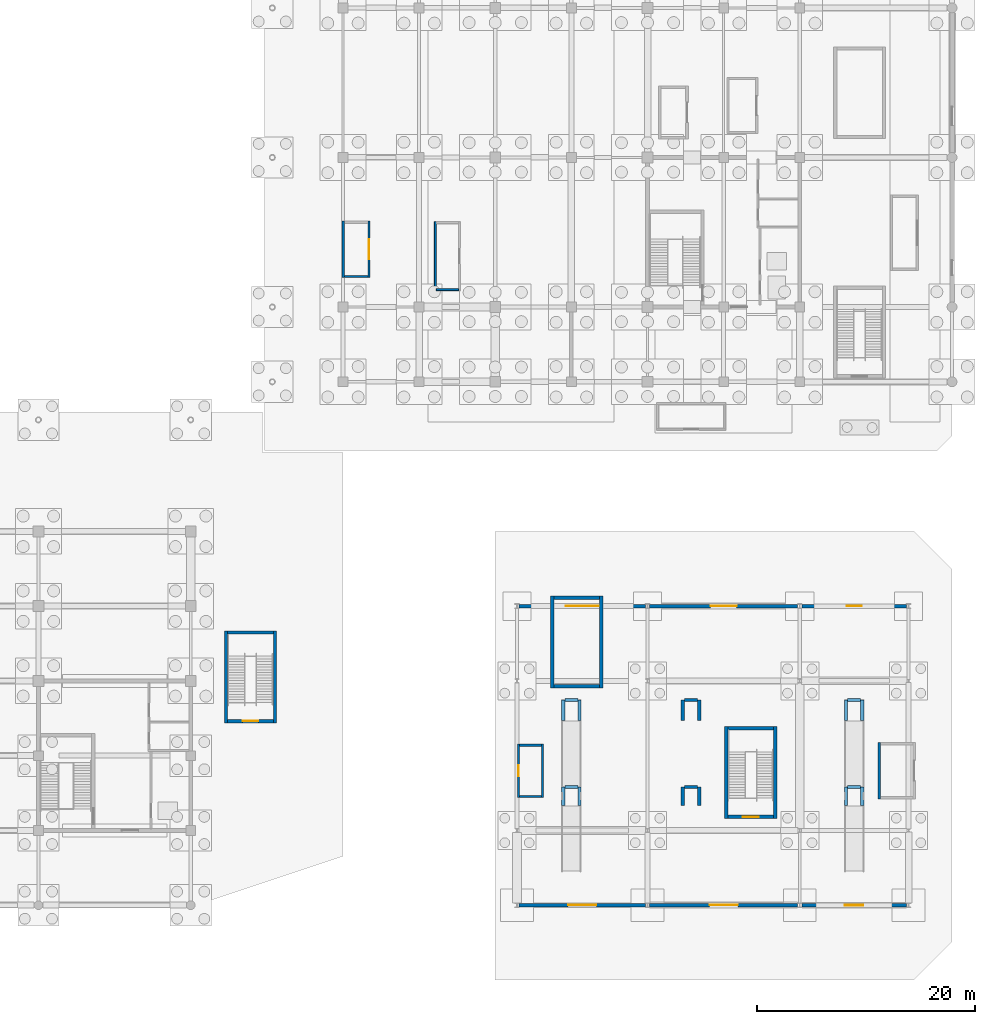
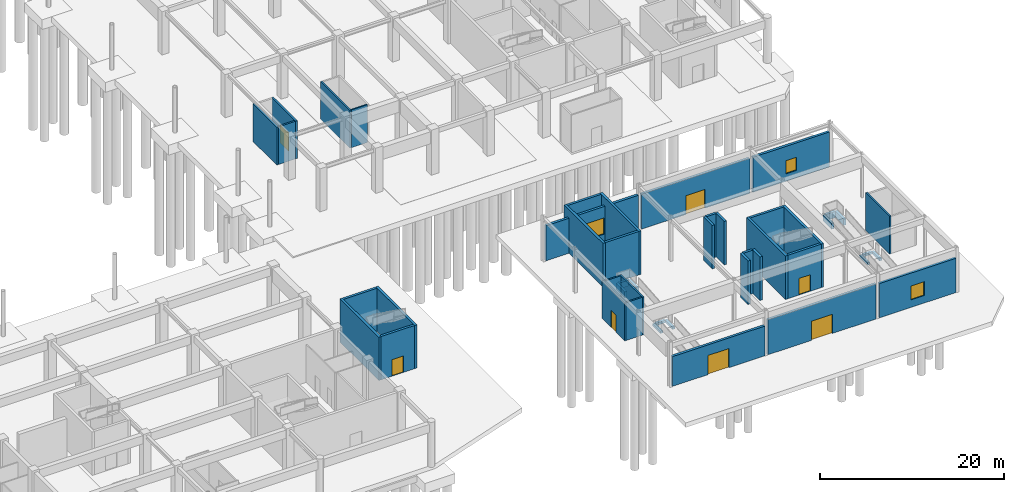
# One storey, part 43 of 62: 46 walls, 7 doors, 3 windows, 10 openings.
"""IFC4 building model written with IfcOpenShell, lengths in metres."""

import ifcopenshell
import ifcopenshell.guid

model = None  # the IFC model being written
_history = None  # IfcOwnerHistory: only IFC2X3 demands one
_inside = {}  # id of a spatial element -> (the spatial element, [elements in it])
_under = {}  # id of a project, library or spatial element -> (it, [spatial elements below it])
_declared = {}  # id of a project -> (the project, [libraries it declares])
_typed = {}  # id of a type object -> (the type object, [elements of that type])
_made_of = {}  # id of a material, layer set ... -> (it, [elements and type objects made of it])


def new_model(schema):
    """Start an empty IFC model of exactly this schema.

    Asked for "IFC4X3", IfcOpenShell would pick the latest addendum, in which some entities
    have other attributes; the version numbers below select the first issue.
    IFC2X3 requires an IfcOwnerHistory on every rooted entity: one is made here for all.
    """
    global model, _history
    if schema == "IFC4X3":
        model = ifcopenshell.file(schema_version=(4, 3, 0, 0))
    else:
        model = ifcopenshell.file(schema=schema)
    _inside.clear()
    _under.clear()
    _declared.clear()
    _typed.clear()
    _made_of.clear()
    _history = None
    if model.schema == "IFC2X3":
        org = make("IfcOrganization", Name="unknown")
        user = make(
            "IfcPersonAndOrganization",
            ThePerson=make("IfcPerson", FamilyName="unknown"),
            TheOrganization=org,
        )
        app = make(
            "IfcApplication",
            ApplicationDeveloper=org,
            Version="unknown",
            ApplicationFullName="unknown",
            ApplicationIdentifier="unknown",
        )
        _history = make(
            "IfcOwnerHistory",
            OwningUser=user,
            OwningApplication=app,
            ChangeAction="ADDED",
            CreationDate=0,
        )
    return model


def make(cls, **values):
    """One entity of the class cls with the attributes given. An attribute that is None is left unset."""
    return model.create_entity(
        cls, **{name: value for name, value in values.items() if value is not None}
    )


def rooted(cls, **values):
    """An entity with a GlobalId (a new one), such as an element, a storey or a relation."""
    return make(cls, GlobalId=ifcopenshell.guid.new(), OwnerHistory=_history, **values)


def si_unit(unit_type, name, prefix=None):
    """IfcSIUnit, for example si_unit("LENGTHUNIT", "METRE", prefix="MILLI")."""
    return make("IfcSIUnit", UnitType=unit_type, Prefix=prefix, Name=name)


def assignment(units):
    """IfcUnitAssignment: the units of a project."""
    return None if units is None else make("IfcUnitAssignment", Units=units)


def point(xyz):
    """IfcCartesianPoint."""
    return None if xyz is None else make("IfcCartesianPoint", Coordinates=xyz)


def direction(xyz):
    """IfcDirection."""
    return None if xyz is None else make("IfcDirection", DirectionRatios=xyz)


def frame(location, z_axis=None, x_axis=None):
    """IfcAxis2Placement3D, a coordinate frame: its origin and axes. An axis left out is left unset."""
    return make(
        "IfcAxis2Placement3D",
        Location=point(location),
        Axis=direction(z_axis),
        RefDirection=direction(x_axis),
    )


def frame_2d(location, x_axis=None):
    """IfcAxis2Placement2D, a coordinate frame in the plane: its origin and x axis."""
    return make(
        "IfcAxis2Placement2D", Location=point(location), RefDirection=direction(x_axis)
    )


def origin():
    """The frame at (0, 0, 0) with its axes left unset."""
    return frame((0.0, 0.0, 0.0))


def place(relative_to, where):
    """IfcLocalPlacement: puts the frame where relative to a parent placement (None: the world)."""
    return make(
        "IfcLocalPlacement", PlacementRelTo=relative_to, RelativePlacement=where
    )


def context(
    kind, dimensions, precision=None, world=None, true_north=None, identifier=None
):
    """IfcGeometricRepresentationContext, for example the 3D "Model" context."""
    return make(
        "IfcGeometricRepresentationContext",
        ContextIdentifier=identifier,
        ContextType=kind,
        CoordinateSpaceDimension=dimensions,
        Precision=precision,
        WorldCoordinateSystem=world,
        TrueNorth=true_north,
    )


def subcontext(parent, identifier, kind, view, scale=None):
    """IfcGeometricRepresentationSubContext, for example "Body" below "Model"."""
    return make(
        "IfcGeometricRepresentationSubContext",
        ContextIdentifier=identifier,
        ContextType=kind,
        ParentContext=parent,
        TargetScale=scale,
        TargetView=view,
    )


def project(units=None, contexts=None):
    """IfcProject with its units and contexts."""
    return rooted(
        "IfcProject",
        Name="project",
        RepresentationContexts=contexts,
        UnitsInContext=assignment(units),
    )


def spatial(cls, under=None, at=None, **own):
    """A site, building, storey or space (cls), placed at a placement, below another one or the project."""
    s = rooted(cls, ObjectPlacement=at, **own)
    if under is not None:
        _under.setdefault(under.id(), (under, []))[1].append(s)
    return s


def profile(cls, at=None, kind="AREA", **sizes):
    """A parametric profile (cls). Its sizes go by their IFC names, for example OverallWidth=200.0."""
    return make(cls, ProfileType=kind, Position=at, **sizes)


def rectangle(**sizes):
    """IfcRectangleProfileDef."""
    return profile("IfcRectangleProfileDef", **sizes)


def extrude(swept, where, along, depth):
    """IfcExtrudedAreaSolid: the profile swept, set in the frame where, extruded along a direction by depth."""
    return make(
        "IfcExtrudedAreaSolid",
        SweptArea=swept,
        Position=where,
        ExtrudedDirection=direction(along),
        Depth=depth,
    )


def shape(context_of_items, identifier, shape_type, items):
    """IfcShapeRepresentation: the items that make up one representation, for example the "Body"."""
    return make(
        "IfcShapeRepresentation",
        ContextOfItems=context_of_items,
        RepresentationIdentifier=identifier,
        RepresentationType=shape_type,
        Items=items,
    )


def material(Name=None, Category=None):
    """IfcMaterial."""
    return make("IfcMaterial", Name=Name, Category=Category)


def layer(
    of_material, thickness, ventilated=None, Name=None, Category=None, Priority=None
):
    """IfcMaterialLayer: one layer of a wall or slab, of a material (None: an air gap)."""
    return make(
        "IfcMaterialLayer",
        Material=of_material,
        LayerThickness=thickness,
        IsVentilated=ventilated,
        Name=Name,
        Category=Category,
        Priority=Priority,
    )


def layer_set(layers, Name=None):
    """IfcMaterialLayerSet."""
    return make("IfcMaterialLayerSet", MaterialLayers=layers, LayerSetName=Name)


def made_of(thing, what):
    """Note that an element or type object is made of a material, layer set ...; save() writes the relation."""
    if what is not None:
        _made_of.setdefault(what.id(), (what, []))[1].append(thing)
    return thing


def type_object(cls, material=None, **own):
    """A type object (cls), such as IfcWallType, which elements share."""
    return made_of(rooted(cls, **own), material)


def element(
    cls,
    number,
    at=None,
    inside=None,
    cuts=None,
    type_object=None,
    material=None,
    context=None,
    identifier="Body",
    shape_type=None,
    held_by="IfcProductDefinitionShape",
    body=None,
    shapes=None,
    **own,
):
    """One element of the class cls, such as IfcWall. Its Tag is "e" and its number.

    at: its placement. inside: the storey or other place that contains it. cuts: it is an
    opening in that element (IfcRelVoidsElement). A single representation is given by context,
    identifier, shape_type and body (its items); several are given by shapes. held_by: the class
    of the entity that holds the representations. save() writes the other relations.
    """
    e = rooted(cls, Tag="e%d" % number, ObjectPlacement=at, **own)
    if body is not None:
        shapes = [shape(context, identifier, shape_type, body)]
    if shapes is not None:
        e.Representation = make(held_by, Representations=shapes)
    if inside is not None:
        _inside.setdefault(inside.id(), (inside, []))[1].append(e)
    if cuts is not None:
        rooted(
            "IfcRelVoidsElement", RelatingBuildingElement=cuts, RelatedOpeningElement=e
        )
    if type_object is not None:
        _typed.setdefault(type_object.id(), (type_object, []))[1].append(e)
    return made_of(e, material)


def fill(opening, filler):
    """IfcRelFillsElement: the door or window that sits in an opening."""
    return rooted(
        "IfcRelFillsElement",
        RelatingOpeningElement=opening,
        RelatedBuildingElement=filler,
    )


def aggregate(whole, parts):
    """IfcRelAggregates: a whole, such as a stair, and the parts it consists of."""
    return rooted("IfcRelAggregates", RelatingObject=whole, RelatedObjects=parts)


def save(model, path):
    """Write the relations noted so far, then the file.

    IfcRelAggregates (storeys below a building ...), IfcRelContainedInSpatialStructure (elements
    in a storey), IfcRelDefinesByType, IfcRelAssociatesMaterial and IfcRelDeclares: one each for
    every whole, place, type object, material and project.
    """
    for whole, parts in _under.values():
        aggregate(whole, parts)
    for where, things in _inside.values():
        rooted(
            "IfcRelContainedInSpatialStructure",
            RelatedElements=things,
            RelatingStructure=where,
        )
    for kind, things in _typed.values():
        rooted("IfcRelDefinesByType", RelatedObjects=things, RelatingType=kind)
    for what, things in _made_of.values():
        rooted("IfcRelAssociatesMaterial", RelatedObjects=things, RelatingMaterial=what)
    for by, libraries in _declared.values():
        rooted("IfcRelDeclares", RelatingContext=by, RelatedDefinitions=libraries)
    model.write(path)


model = new_model("IFC4")

# Units and contexts
model_context = context("Model", 3, precision=1e-05, world=origin(), true_north=direction((0.0, 1.0)))
body_context = subcontext(model_context, "Body", "Model", "MODEL_VIEW")
ifc_project = project(units=[si_unit("LENGTHUNIT", "METRE"), si_unit("AREAUNIT", "SQUARE_METRE"), si_unit("VOLUMEUNIT", "CUBIC_METRE"), si_unit("PLANEANGLEUNIT", "RADIAN"), si_unit("MASSUNIT", "GRAM", prefix="KILO")], contexts=[model_context])

# Site, building, storey
site_placement = place(None, origin())
site = spatial("IfcSite", under=ifc_project, at=site_placement, CompositionType="ELEMENT")
building_placement = place(site_placement, origin())
building = spatial("IfcBuilding", under=site, at=building_placement, Name="Linyun Crest Stadium", CompositionType="ELEMENT")
storey_placement = place(building_placement, frame((0.0, 0.0, -6.0)))
storey = spatial("IfcBuildingStorey", under=building, at=storey_placement, Name="B1", CompositionType="ELEMENT", Elevation=-6.0)

# Wall, opening, window
ifc_material_1 = material(Name="Concrete C40 with warm ochre ceramic faience", Category="concrete")
ifc_layer_1 = layer(ifc_material_1, 0.31005859375)
ifc_layer_set_1 = layer_set([ifc_layer_1], Name="Concrete C40 with warm ochre ceramic faience")
wall_type_1 = type_object("IfcWallType", Name="EW04", PredefinedType="SOLIDWALL", material=ifc_layer_set_1)
wall_1_placement = place(storey_placement, frame((58.18994140625, -66.625, 0.0), z_axis=(0.0, 0.0, 1.0), x_axis=(1.0, 0.0, 0.0)))
wall_1 = element("IfcWall", 1, at=wall_1_placement, inside=storey, type_object=wall_type_1, Name="Exterior wall EW04 B1 52", PredefinedType="SOLIDWALL", context=body_context, shape_type="SweptSolid", body=[
    extrude(rectangle(XDim=11.6201171875, YDim=0.31005859375, at=frame_2d((5.81005859375, 0.0))), origin(), (0.0, 0.0, 1.0), 4.655029296875),
])
opening_1_placement = place(wall_1_placement, frame((4.31005859375, 0.0, 1.0)))
opening_1 = element("IfcOpeningElement", 2, at=opening_1_placement, cuts=wall_1, Name="Opening WN06", PredefinedType="OPENING", context=body_context, shape_type="SweptSolid", body=[
    extrude(rectangle(XDim=3.0, YDim=2.14990234375, at=frame_2d((1.5, 1.074951171875))), frame((0.0, 0.1650390625, 0.0), z_axis=(0.0, -1.0, 0.0), x_axis=(1.0, 0.0, 0.0)), (0.0, 0.0, 1.0), 0.330078125),
])
ifc_material_2 = material(Name="Verdigris steel Art Nouveau arched window", Category="steel")
ifc_layer_2 = layer(ifc_material_2, 0.06494140625)
ifc_layer_set_2 = layer_set([ifc_layer_2], Name="Verdigris steel Art Nouveau arched window")
window_type_1 = type_object("IfcWindowType", Name="WN06", PartitioningType="SINGLE_PANEL", PredefinedType="WINDOW", material=ifc_layer_set_2)
window_1_placement = place(opening_1_placement, origin())
window_1 = element("IfcWindow", 3, at=window_1_placement, inside=storey, type_object=window_type_1, Name="Window WN06 B1 30", OverallHeight=2.14990234375, OverallWidth=3.0, PartitioningType="SINGLE_PANEL", PredefinedType="WINDOW", context=body_context, shape_type="SweptSolid", body=[
    extrude(rectangle(XDim=3.0, YDim=2.14990234375, at=frame_2d((1.5, 1.074951171875))), frame((0.0, 0.030029296875, 0.0), z_axis=(0.0, -1.0, 0.0), x_axis=(1.0, 0.0, 0.0)), (0.0, 0.0, 1.0), 0.06005859375),
])
fill(opening_1, window_1)

# Wall, opening, door
wall_2_placement = place(storey_placement, frame((69.81005859375, -94.125, 0.0), z_axis=(0.0, 0.0, 1.0), x_axis=(-1.0, 0.0, 0.0)))
wall_2 = element("IfcWall", 4, at=wall_2_placement, inside=storey, type_object=wall_type_1, Name="Exterior wall EW04 B1 53", PredefinedType="SOLIDWALL", context=body_context, shape_type="SweptSolid", body=[
    extrude(rectangle(XDim=11.6201171875, YDim=0.31005859375, at=frame_2d((5.81005859375, 0.0))), origin(), (0.0, 0.0, 1.0), 3.955078125),
])
opening_2_placement = place(wall_2_placement, frame((4.510009765625, 0.0, 0.0)))
opening_2 = element("IfcOpeningElement", 5, at=opening_2_placement, cuts=wall_2, Name="Opening G18", PredefinedType="OPENING", context=body_context, shape_type="SweptSolid", body=[
    extrude(rectangle(XDim=2.60009765625, YDim=2.550048828125, at=frame_2d((1.300048828125, 1.27490234375))), frame((0.0, 0.1650390625, 0.0), z_axis=(0.0, -1.0, 0.0), x_axis=(1.0, 0.0, 0.0)), (0.0, 0.0, 1.0), 0.330078125),
])
ifc_material_3 = material(Name="Verdigris painted steel botanical gate", Category="steel")
ifc_layer_3 = layer(ifc_material_3, 0.054931640625)
ifc_layer_set_3 = layer_set([ifc_layer_3], Name="Verdigris painted steel botanical gate")
door_type_1 = type_object("IfcDoorType", Name="GD02", OperationType="NOTDEFINED", PredefinedType="DOOR", material=ifc_layer_set_3)
door_1_placement = place(opening_2_placement, origin())
door_1 = element("IfcDoor", 6, at=door_1_placement, inside=storey, type_object=door_type_1, Name="Pedestrian exit gate G18", OperationType="DOUBLE_DOOR_SINGLE_SWING", OverallHeight=2.550048828125, OverallWidth=2.60009765625, PredefinedType="DOOR", context=body_context, shape_type="SweptSolid", body=[
    extrude(rectangle(XDim=2.60009765625, YDim=2.550048828125, at=frame_2d((1.300048828125, 1.27490234375))), frame((0.0, 0.02490234375, 0.0), z_axis=(0.0, -1.0, 0.0), x_axis=(1.0, 0.0, 0.0)), (0.0, 0.0, 1.0), 0.050048828125),
])
fill(opening_2, door_1)

wall_3_placement = place(storey_placement, frame((70.18994140625, -66.625, 0.0), z_axis=(0.0, 0.0, 1.0), x_axis=(1.0, 0.0, 0.0)))
wall_3 = element("IfcWall", 7, at=wall_3_placement, inside=storey, type_object=wall_type_1, Name="Exterior wall EW04 B1 56", PredefinedType="SOLIDWALL", context=body_context, shape_type="SweptSolid", body=[
    extrude(rectangle(XDim=13.6201171875, YDim=0.31005859375, at=frame_2d((6.81005859375, 0.0))), origin(), (0.0, 0.0, 1.0), 4.655029296875),
])
opening_3_placement = place(wall_3_placement, frame((5.610107421875, 0.0, 0.0)))
opening_3 = element("IfcOpeningElement", 8, at=opening_3_placement, cuts=wall_3, Name="Opening G21", PredefinedType="OPENING", context=body_context, shape_type="SweptSolid", body=[
    extrude(rectangle(XDim=2.39990234375, YDim=2.5, at=frame_2d((1.199951171875, 1.25))), frame((0.0, 0.1650390625, 0.0), z_axis=(0.0, -1.0, 0.0), x_axis=(1.0, 0.0, 0.0)), (0.0, 0.0, 1.0), 0.330078125),
])
ifc_material_4 = material(Name="Verdigris painted steel botanical gate", Category="steel")
ifc_layer_4 = layer(ifc_material_4, 0.054931640625)
ifc_layer_set_4 = layer_set([ifc_layer_4], Name="Verdigris painted steel botanical gate")
door_type_2 = type_object("IfcDoorType", Name="GD01", OperationType="NOTDEFINED", PredefinedType="DOOR", material=ifc_layer_set_4)
door_2_placement = place(opening_3_placement, origin())
door_2 = element("IfcDoor", 9, at=door_2_placement, inside=storey, type_object=door_type_2, Name="Pedestrian exit gate G21", OperationType="DOUBLE_DOOR_SINGLE_SWING", OverallHeight=2.5, OverallWidth=2.39990234375, PredefinedType="DOOR", context=body_context, shape_type="SweptSolid", body=[
    extrude(rectangle(XDim=2.39990234375, YDim=2.5, at=frame_2d((1.199951171875, 1.25))), frame((0.0, 0.02490234375, 0.0), z_axis=(0.0, -1.0, 0.0), x_axis=(1.0, 0.0, 0.0)), (0.0, 0.0, 1.0), 0.050048828125),
])
fill(opening_3, door_2)

wall_4_placement = place(storey_placement, frame((83.81005859375, -94.125, 0.0), z_axis=(0.0, 0.0, 1.0), x_axis=(-1.0, 0.0, 0.0)))
wall_4 = element("IfcWall", 10, at=wall_4_placement, inside=storey, type_object=wall_type_1, Name="Exterior wall EW04 B1 57", PredefinedType="SOLIDWALL", context=body_context, shape_type="SweptSolid", body=[
    extrude(rectangle(XDim=13.6201171875, YDim=0.31005859375, at=frame_2d((6.81005859375, 0.0))), origin(), (0.0, 0.0, 1.0), 4.655029296875),
])
opening_4_placement = place(wall_4_placement, frame((5.510009765625, 0.0, 0.0)))
opening_4 = element("IfcOpeningElement", 11, at=opening_4_placement, cuts=wall_4, Name="Opening G22", PredefinedType="OPENING", context=body_context, shape_type="SweptSolid", body=[
    extrude(rectangle(XDim=2.60009765625, YDim=2.550048828125, at=frame_2d((1.300048828125, 1.27490234375))), frame((0.0, 0.1650390625, 0.0), z_axis=(0.0, -1.0, 0.0), x_axis=(1.0, 0.0, 0.0)), (0.0, 0.0, 1.0), 0.330078125),
])
door_3_placement = place(opening_4_placement, origin())
door_3 = element("IfcDoor", 12, at=door_3_placement, inside=storey, type_object=door_type_1, Name="Pedestrian exit gate G22", OperationType="DOUBLE_DOOR_SINGLE_SWING", OverallHeight=2.550048828125, OverallWidth=2.60009765625, PredefinedType="DOOR", context=body_context, shape_type="SweptSolid", body=[
    extrude(rectangle(XDim=2.60009765625, YDim=2.550048828125, at=frame_2d((1.300048828125, 1.27490234375))), frame((0.0, 0.02490234375, 0.0), z_axis=(0.0, -1.0, 0.0), x_axis=(1.0, 0.0, 0.0)), (0.0, 0.0, 1.0), 0.050048828125),
])
fill(opening_4, door_3)

# Wall, opening, window
wall_5_placement = place(storey_placement, frame((84.18994140625, -66.625, 0.0), z_axis=(0.0, 0.0, 1.0), x_axis=(1.0, 0.0, 0.0)))
wall_5 = element("IfcWall", 13, at=wall_5_placement, inside=storey, type_object=wall_type_1, Name="Exterior wall EW04 B1 60", PredefinedType="SOLIDWALL", context=body_context, shape_type="SweptSolid", body=[
    extrude(rectangle(XDim=9.6201171875, YDim=0.31005859375, at=frame_2d((4.81005859375, 0.0))), origin(), (0.0, 0.0, 1.0), 4.655029296875),
])
opening_5_placement = place(wall_5_placement, frame((4.135009765625, 0.0, 1.0)))
opening_5 = element("IfcOpeningElement", 14, at=opening_5_placement, cuts=wall_5, Name="Opening WN13", PredefinedType="OPENING", context=body_context, shape_type="SweptSolid", body=[
    extrude(rectangle(XDim=1.35009765625, YDim=1.75, at=frame_2d((0.675048828125, 0.875))), frame((0.0, 0.1650390625, 0.0), z_axis=(0.0, -1.0, 0.0), x_axis=(1.0, 0.0, 0.0)), (0.0, 0.0, 1.0), 0.330078125),
])
ifc_material_5 = material(Name="Gallery side-light window")
ifc_layer_5 = layer(ifc_material_5, 0.06005859375)
ifc_layer_set_5 = layer_set([ifc_layer_5], Name="Gallery side-light window")
window_type_2 = type_object("IfcWindowType", Name="WN13", PartitioningType="SINGLE_PANEL", PredefinedType="WINDOW", material=ifc_layer_set_5)
window_2_placement = place(opening_5_placement, origin())
window_2 = element("IfcWindow", 15, at=window_2_placement, inside=storey, type_object=window_type_2, Name="Window WN13 B1 31", OverallHeight=1.75, OverallWidth=1.35009765625, PartitioningType="SINGLE_PANEL", PredefinedType="WINDOW", context=body_context, shape_type="SweptSolid", body=[
    extrude(rectangle(XDim=1.35009765625, YDim=1.75, at=frame_2d((0.675048828125, 0.875))), frame((0.0, 0.030029296875, 0.0), z_axis=(0.0, -1.0, 0.0), x_axis=(1.0, 0.0, 0.0)), (0.0, 0.0, 1.0), 0.06005859375),
])
fill(opening_5, window_2)

wall_6_placement = place(storey_placement, frame((93.81005859375, -94.125, 0.0), z_axis=(0.0, 0.0, 1.0), x_axis=(-1.0, 0.0, 0.0)))
wall_6 = element("IfcWall", 16, at=wall_6_placement, inside=storey, type_object=wall_type_1, Name="Exterior wall EW04 B1 61", PredefinedType="SOLIDWALL", context=body_context, shape_type="SweptSolid", body=[
    extrude(rectangle(XDim=9.6201171875, YDim=0.31005859375, at=frame_2d((4.81005859375, 0.0))), origin(), (0.0, 0.0, 1.0), 4.554931640625),
])
opening_6_placement = place(wall_6_placement, frame((3.9599609375, 0.0, 1.0)))
opening_6 = element("IfcOpeningElement", 17, at=opening_6_placement, cuts=wall_6, Name="Opening WN14", PredefinedType="OPENING", context=body_context, shape_type="SweptSolid", body=[
    extrude(rectangle(XDim=1.699951171875, YDim=1.85009765625, at=frame_2d((0.85009765625, 0.925048828125))), frame((0.0, 0.1650390625, 0.0), z_axis=(0.0, -1.0, 0.0), x_axis=(1.0, 0.0, 0.0)), (0.0, 0.0, 1.0), 0.330078125),
])
ifc_material_6 = material(Name="Concourse arched sidelight")
ifc_layer_6 = layer(ifc_material_6, 0.06005859375)
ifc_layer_set_6 = layer_set([ifc_layer_6], Name="Concourse arched sidelight")
window_type_3 = type_object("IfcWindowType", Name="WN14", PartitioningType="SINGLE_PANEL", PredefinedType="WINDOW", material=ifc_layer_set_6)
window_3_placement = place(opening_6_placement, origin())
window_3 = element("IfcWindow", 18, at=window_3_placement, inside=storey, type_object=window_type_3, Name="Window WN14 B1 32", OverallHeight=1.85009765625, OverallWidth=1.699951171875, PartitioningType="SINGLE_PANEL", PredefinedType="WINDOW", context=body_context, shape_type="SweptSolid", body=[
    extrude(rectangle(XDim=1.699951171875, YDim=1.85009765625, at=frame_2d((0.85009765625, 0.925048828125))), frame((0.0, 0.030029296875, 0.0), z_axis=(0.0, -1.0, 0.0), x_axis=(1.0, 0.0, 0.0)), (0.0, 0.0, 1.0), 0.06005859375),
])
fill(opening_6, window_3)

# Walls
ifc_material_7 = material(Name="Concourse concession fire-rated masonry wall", Category="masonry")
ifc_layer_7 = layer(ifc_material_7, 0.175048828125)
ifc_layer_set_7 = layer_set([ifc_layer_7], Name="Concourse concession fire-rated masonry wall")
wall_type_2 = type_object("IfcWallType", Name="PW24", PredefinedType="PARTITIONING", material=ifc_layer_set_7)
wall_7_placement = place(storey_placement, frame((50.492919921875, -37.614990234375, 0.0), z_axis=(0.0, 0.0, 1.0), x_axis=(0.0, 1.0, 0.0)))
element("IfcWall", 19, at=wall_7_placement, inside=storey, type_object=wall_type_2, Name="Enclosure partition PW24 B1 151", PredefinedType="PARTITIONING", context=body_context, shape_type="SweptSolid", body=[
    extrude(rectangle(XDim=6.340087890625, YDim=0.175048828125, at=frame_2d((3.169921875, 0.0))), origin(), (0.0, 0.0, 1.0), 5.02001953125),
])
wall_8_placement = place(storey_placement, frame((50.5810546875, -37.527099609375, 0.0), z_axis=(0.0, 0.0, 1.0), x_axis=(1.0, 0.0, 0.0)))
element("IfcWall", 20, at=wall_8_placement, inside=storey, type_object=wall_type_2, Name="Enclosure partition PW24 B1 152", PredefinedType="PARTITIONING", context=body_context, shape_type="SweptSolid", body=[
    extrude(rectangle(XDim=2.0439453125, YDim=0.175048828125, at=frame_2d((1.02197265625, 0.0))), origin(), (0.0, 0.0, 1.0), 5.02001953125),
])

# Wall, opening, door
ifc_material_8 = material(Name="Ticketing hall security partition")
ifc_layer_8 = layer(ifc_material_8, 0.18994140625)
ifc_layer_set_8 = layer_set([ifc_layer_8], Name="Ticketing hall security partition")
wall_type_3 = type_object("IfcWallType", Name="PW25", PredefinedType="PARTITIONING", material=ifc_layer_set_8)
wall_9_placement = place(storey_placement, frame((58.12109375, -84.208984375, 0.0), z_axis=(0.0, 0.0, 1.0), x_axis=(0.0, 1.0, 0.0)))
wall_9 = element("IfcWall", 21, at=wall_9_placement, inside=storey, type_object=wall_type_3, Name="Partition PW25 B1 158", PredefinedType="PARTITIONING", context=body_context, shape_type="SweptSolid", body=[
    extrude(rectangle(XDim=4.889892578125, YDim=0.18994140625, at=frame_2d((2.44482421875, 0.0))), origin(), (0.0, 0.0, 1.0), 5.02001953125),
])
opening_7_placement = place(wall_9_placement, frame((1.919921875, 0.0, 0.0)))
opening_7 = element("IfcOpeningElement", 22, at=opening_7_placement, cuts=wall_9, Name="Opening D-B1-421", PredefinedType="OPENING", context=body_context, shape_type="SweptSolid", body=[
    extrude(rectangle(XDim=1.050048828125, YDim=2.25, at=frame_2d((0.52490234375, 1.125))), frame((0.0, 0.10498046875, 0.0), z_axis=(0.0, -1.0, 0.0), x_axis=(1.0, 0.0, 0.0)), (0.0, 0.0, 1.0), 0.2099609375),
])
ifc_material_9 = material(Name="Walnut and brass Art Nouveau door")
ifc_layer_9 = layer(ifc_material_9, 0.050048828125)
ifc_layer_set_9 = layer_set([ifc_layer_9], Name="Walnut and brass Art Nouveau door")
door_type_3 = type_object("IfcDoorType", Name="ID05", OperationType="NOTDEFINED", PredefinedType="DOOR", material=ifc_layer_set_9)
door_4_placement = place(opening_7_placement, origin())
door_4 = element("IfcDoor", 23, at=door_4_placement, inside=storey, type_object=door_type_3, Name="Door D-B1-421", OperationType="SINGLE_SWING_LEFT", OverallHeight=2.25, OverallWidth=1.050048828125, PredefinedType="DOOR", context=body_context, shape_type="SweptSolid", body=[
    extrude(rectangle(XDim=1.050048828125, YDim=2.25, at=frame_2d((0.52490234375, 1.125))), frame((0.0, 0.02490234375, 0.0), z_axis=(0.0, -1.0, 0.0), x_axis=(1.0, 0.0, 0.0)), (0.0, 0.0, 1.0), 0.050048828125),
])
fill(opening_7, door_4)

# Walls
wall_10_placement = place(storey_placement, frame((60.341064453125, -84.208984375, 0.0), z_axis=(0.0, 0.0, 1.0), x_axis=(0.0, 1.0, 0.0)))
element("IfcWall", 24, at=wall_10_placement, inside=storey, type_object=wall_type_3, Name="Enclosure partition PW25 B1 190", PredefinedType="PARTITIONING", context=body_context, shape_type="SweptSolid", body=[
    extrude(rectangle(XDim=4.889892578125, YDim=0.18994140625, at=frame_2d((2.44482421875, 0.0))), origin(), (0.0, 0.0, 1.0), 5.02001953125),
])
for number, where, z_axis, x_axis, name in (
    (25, (58.216064453125, -84.114013671875, 0.0), (0.0, 0.0, 1.0), (1.0, 0.0, 0.0), "Enclosure partition PW25 B1 191"),
    (26, (58.216064453125, -79.4140625, 0.0), (0.0, 0.0, 1.0), (1.0, 0.0, 0.0), "Enclosure partition PW25 B1 192"),
):
    element("IfcWall", number, at=place(storey_placement, frame(where, z_axis=z_axis, x_axis=x_axis)), inside=storey, type_object=wall_type_3, Name=name, PredefinedType="PARTITIONING", context=body_context, shape_type="SweptSolid", body=[
        extrude(rectangle(XDim=2.030029296875, YDim=0.18994140625, at=frame_2d((1.01513671875, 0.0))), origin(), (0.0, 0.0, 1.0), 5.02001953125),
    ])

# Wall, opening, door
ifc_material_10 = material(Name="Kitchen hood and service riser enclosure wall")
ifc_layer_10 = layer(ifc_material_10, 0.2099609375)
ifc_layer_set_10 = layer_set([ifc_layer_10], Name="Kitchen hood and service riser enclosure wall")
wall_type_4 = type_object("IfcWallType", Name="PW26", PredefinedType="PARTITIONING", material=ifc_layer_set_10)
wall_11_placement = place(storey_placement, frame((44.384033203125, -31.235107421875, 0.0), z_axis=(0.0, 0.0, 1.0), x_axis=(0.0, -1.0, 0.0)))
wall_11 = element("IfcWall", 27, at=wall_11_placement, inside=storey, type_object=wall_type_4, Name="Partition PW26 B1 262", PredefinedType="PARTITIONING", context=body_context, shape_type="SweptSolid", body=[
    extrude(rectangle(XDim=5.179931640625, YDim=0.2099609375, at=frame_2d((2.58984375, 0.0))), origin(), (0.0, 0.0, 1.0), 5.02001953125),
])
opening_8_placement = place(wall_11_placement, frame((1.6650390625, 0.0, 0.0)))
opening_8 = element("IfcOpeningElement", 28, at=opening_8_placement, cuts=wall_11, Name="Opening D-B1-525", PredefinedType="OPENING", context=body_context, shape_type="SweptSolid", body=[
    extrude(rectangle(XDim=1.85009765625, YDim=2.39990234375, at=frame_2d((0.925048828125, 1.199951171875))), frame((0.0, 0.114990234375, 0.0), z_axis=(0.0, -1.0, 0.0), x_axis=(1.0, 0.0, 0.0)), (0.0, 0.0, 1.0), 0.22998046875),
])
ifc_material_11 = material(Name="Double glazed timber-and-brass door", Category="wood")
ifc_layer_11 = layer(ifc_material_11, 0.054931640625)
ifc_layer_set_11 = layer_set([ifc_layer_11], Name="Double glazed timber-and-brass door")
door_type_4 = type_object("IfcDoorType", Name="ID06", OperationType="NOTDEFINED", PredefinedType="DOOR", material=ifc_layer_set_11)
door_5_placement = place(opening_8_placement, origin())
door_5 = element("IfcDoor", 29, at=door_5_placement, inside=storey, type_object=door_type_4, Name="Door D-B1-525", OperationType="DOUBLE_DOOR_SINGLE_SWING", OverallHeight=2.39990234375, OverallWidth=1.85009765625, PredefinedType="DOOR", context=body_context, shape_type="SweptSolid", body=[
    extrude(rectangle(XDim=1.85009765625, YDim=2.39990234375, at=frame_2d((0.925048828125, 1.199951171875))), frame((0.0, 0.02490234375, 0.0), z_axis=(0.0, -1.0, 0.0), x_axis=(1.0, 0.0, 0.0)), (0.0, 0.0, 1.0), 0.050048828125),
])
fill(opening_8, door_5)

# Walls
wall_12_placement = place(storey_placement, frame((91.31689453125, -84.341064453125, 0.0), z_axis=(0.0, 0.0, 1.0), x_axis=(0.0, 1.0, 0.0)))
element("IfcWall", 30, at=wall_12_placement, inside=storey, type_object=wall_type_4, Name="Enclosure partition PW26 B1 193", PredefinedType="PARTITIONING", context=body_context, shape_type="SweptSolid", body=[
    extrude(rectangle(XDim=5.18017578125, YDim=0.2099609375, at=frame_2d((2.590087890625, 0.0))), origin(), (0.0, 0.0, 1.0), 5.02001953125),
])
wall_13_placement = place(storey_placement, frame((42.02392578125, -36.4150390625, 0.0), z_axis=(0.0, 0.0, 1.0), x_axis=(0.0, 1.0, 0.0)))
element("IfcWall", 31, at=wall_13_placement, inside=storey, type_object=wall_type_4, Name="Enclosure partition PW26 B1 502", PredefinedType="PARTITIONING", context=body_context, shape_type="SweptSolid", body=[
    extrude(rectangle(XDim=5.179931640625, YDim=0.2099609375, at=frame_2d((2.58984375, 0.0))), origin(), (0.0, 0.0, 1.0), 5.02001953125),
])
wall_14_placement = place(storey_placement, frame((42.12890625, -36.31005859375, 0.0), z_axis=(0.0, 0.0, 1.0), x_axis=(1.0, 0.0, 0.0)))
element("IfcWall", 32, at=wall_14_placement, inside=storey, type_object=wall_type_4, Name="Enclosure partition PW26 B1 503", PredefinedType="PARTITIONING", context=body_context, shape_type="SweptSolid", body=[
    extrude(rectangle(XDim=2.150146484375, YDim=0.2099609375, at=frame_2d((1.0751953125, 0.0))), origin(), (0.0, 0.0, 1.0), 5.02001953125),
])

# Wall, opening, door
ifc_material_12 = material(Name="Concrete C50", Category="concrete")
ifc_layer_12 = layer(ifc_material_12, 0.300048828125)
ifc_layer_set_12 = layer_set([ifc_layer_12], Name="Concrete C50")
wall_type_5 = type_object("IfcWallType", Name="SW01", PredefinedType="SHEAR", material=ifc_layer_set_12)
wall_15_placement = place(storey_placement, frame((31.39990234375, -77.199951171875, 0.0), z_axis=(0.0, 0.0, 1.0), x_axis=(1.0, 0.0, 0.0)))
wall_15 = element("IfcWall", 33, at=wall_15_placement, inside=storey, type_object=wall_type_5, Name="Stair shaft wall SW01 STR-29 B1 S", PredefinedType="SHEAR", context=body_context, shape_type="SweptSolid", body=[
    extrude(rectangle(XDim=4.2001953125, YDim=0.300048828125, at=frame_2d((2.10009765625, 0.0))), origin(), (0.0, 0.0, 1.0), 5.75),
])
opening_9_placement = place(wall_15_placement, frame((1.375, 0.0, 0.0)))
opening_9 = element("IfcOpeningElement", 34, at=opening_9_placement, cuts=wall_15, Name="Opening D-B1-623", PredefinedType="OPENING", context=body_context, shape_type="SweptSolid", body=[
    extrude(rectangle(XDim=1.449951171875, YDim=2.199951171875, at=frame_2d((0.72509765625, 1.10009765625))), frame((0.0, 0.159912109375, 0.0), z_axis=(0.0, -1.0, 0.0), x_axis=(1.0, 0.0, 0.0)), (0.0, 0.0, 1.0), 0.320068359375),
])
ifc_material_13 = material(Name="Galvanized steel Class A fire door", Category="steel")
ifc_layer_13 = layer(ifc_material_13, 0.054931640625)
ifc_layer_set_13 = layer_set([ifc_layer_13], Name="Galvanized steel Class A fire door")
door_type_5 = type_object("IfcDoorType", Name="FD02", OperationType="NOTDEFINED", PredefinedType="DOOR", material=ifc_layer_set_13)
door_6_placement = place(opening_9_placement, origin())
door_6 = element("IfcDoor", 35, at=door_6_placement, inside=storey, type_object=door_type_5, Name="Door D-B1-623", OperationType="SINGLE_SWING_LEFT", OverallHeight=2.199951171875, OverallWidth=1.449951171875, PredefinedType="DOOR", context=body_context, shape_type="SweptSolid", body=[
    extrude(rectangle(XDim=1.449951171875, YDim=2.199951171875, at=frame_2d((0.72509765625, 1.10009765625))), frame((0.0, 0.02490234375, 0.0), z_axis=(0.0, -1.0, 0.0), x_axis=(1.0, 0.0, 0.0)), (0.0, 0.0, 1.0), 0.050048828125),
])
fill(opening_9, door_6)

# Walls
wall_16_placement = place(storey_placement, frame((31.39990234375, -69.050048828125, 0.0), z_axis=(0.0, 0.0, 1.0), x_axis=(1.0, 0.0, 0.0)))
element("IfcWall", 36, at=wall_16_placement, inside=storey, type_object=wall_type_5, Name="Stair shaft wall SW01 STR-29 B1 N", PredefinedType="SHEAR", context=body_context, shape_type="SweptSolid", body=[
    extrude(rectangle(XDim=4.2001953125, YDim=0.300048828125, at=frame_2d((2.10009765625, 0.0))), origin(), (0.0, 0.0, 1.0), 5.75),
])
for number, where, z_axis, x_axis, name in (
    (37, (31.25, -77.35009765625, 0.0), (0.0, 0.0, 1.0), (0.0, 1.0, 0.0), "Stair shaft wall SW01 STR-29 B1 W"),
    (38, (35.75, -77.35009765625, 0.0), (0.0, 0.0, 1.0), (0.0, 1.0, 0.0), "Stair shaft wall SW01 STR-29 B1 E"),
):
    element("IfcWall", number, at=place(storey_placement, frame(where, z_axis=z_axis, x_axis=x_axis)), inside=storey, type_object=wall_type_5, Name=name, PredefinedType="SHEAR", context=body_context, shape_type="SweptSolid", body=[
        extrude(rectangle(XDim=8.4501953125, YDim=0.300048828125, at=frame_2d((4.22509765625, 0.0))), origin(), (0.0, 0.0, 1.0), 5.75),
    ])

# Wall, opening, door
wall_17_placement = place(storey_placement, frame((77.39990234375, -86.0, 0.0), z_axis=(0.0, 0.0, 1.0), x_axis=(1.0, 0.0, 0.0)))
wall_17 = element("IfcWall", 39, at=wall_17_placement, inside=storey, type_object=wall_type_5, Name="Stair shaft wall SW01 STR-31 B1 S", PredefinedType="SHEAR", context=body_context, shape_type="SweptSolid", body=[
    extrude(rectangle(XDim=4.2001953125, YDim=0.300048828125, at=frame_2d((2.10009765625, 0.0))), origin(), (0.0, 0.0, 1.0), 5.780029296875),
])
opening_10_placement = place(wall_17_placement, frame((1.375, 0.0, 0.0)))
opening_10 = element("IfcOpeningElement", 40, at=opening_10_placement, cuts=wall_17, Name="Opening D-B1-630", PredefinedType="OPENING", context=body_context, shape_type="SweptSolid", body=[
    extrude(rectangle(XDim=1.449951171875, YDim=2.199951171875, at=frame_2d((0.72509765625, 1.10009765625))), frame((0.0, 0.159912109375, 0.0), z_axis=(0.0, -1.0, 0.0), x_axis=(1.0, 0.0, 0.0)), (0.0, 0.0, 1.0), 0.320068359375),
])
door_7_placement = place(opening_10_placement, origin())
door_7 = element("IfcDoor", 41, at=door_7_placement, inside=storey, type_object=door_type_5, Name="Door D-B1-630", OperationType="SINGLE_SWING_RIGHT", OverallHeight=2.199951171875, OverallWidth=1.449951171875, PredefinedType="DOOR", context=body_context, shape_type="SweptSolid", body=[
    extrude(rectangle(XDim=1.449951171875, YDim=2.199951171875, at=frame_2d((0.72509765625, 1.10009765625))), frame((0.0, 0.02490234375, 0.0), z_axis=(0.0, -1.0, 0.0), x_axis=(1.0, 0.0, 0.0)), (0.0, 0.0, 1.0), 0.050048828125),
])
fill(opening_10, door_7)

# Walls
wall_18_placement = place(storey_placement, frame((77.39990234375, -77.85009765625, 0.0), z_axis=(0.0, 0.0, 1.0), x_axis=(1.0, 0.0, 0.0)))
element("IfcWall", 42, at=wall_18_placement, inside=storey, type_object=wall_type_5, Name="Stair shaft wall SW01 STR-31 B1 N", PredefinedType="SHEAR", context=body_context, shape_type="SweptSolid", body=[
    extrude(rectangle(XDim=4.2001953125, YDim=0.300048828125, at=frame_2d((2.10009765625, 0.0))), origin(), (0.0, 0.0, 1.0), 5.780029296875),
])
for number, where, z_axis, x_axis, name in (
    (43, (77.25, -86.14990234375, 0.0), (0.0, 0.0, 1.0), (0.0, 1.0, 0.0), "Stair shaft wall SW01 STR-31 B1 W"),
    (44, (81.75, -86.14990234375, 0.0), (0.0, 0.0, 1.0), (0.0, 1.0, 0.0), "Stair shaft wall SW01 STR-31 B1 E"),
):
    element("IfcWall", number, at=place(storey_placement, frame(where, z_axis=z_axis, x_axis=x_axis)), inside=storey, type_object=wall_type_5, Name=name, PredefinedType="SHEAR", context=body_context, shape_type="SweptSolid", body=[
        extrude(rectangle(XDim=8.449951171875, YDim=0.300048828125, at=frame_2d((4.22509765625, 0.0))), origin(), (0.0, 0.0, 1.0), 5.780029296875),
    ])
for number, where, z_axis, x_axis, name in (
    (45, (61.39990234375, -74.0, 0.0), (0.0, 0.0, 1.0), (1.0, 0.0, 0.0), "Stair shaft wall SW01 STR-32 B1 S"),
    (46, (61.39990234375, -65.85009765625, 0.0), (0.0, 0.0, 1.0), (1.0, 0.0, 0.0), "Stair shaft wall SW01 STR-32 B1 N"),
):
    element("IfcWall", number, at=place(storey_placement, frame(where, z_axis=z_axis, x_axis=x_axis)), inside=storey, type_object=wall_type_5, Name=name, PredefinedType="SHEAR", context=body_context, shape_type="SweptSolid", body=[
        extrude(rectangle(XDim=4.2001953125, YDim=0.300048828125, at=frame_2d((2.10009765625, 0.0))), origin(), (0.0, 0.0, 1.0), 5.780029296875),
    ])
for number, where, z_axis, x_axis, name in (
    (47, (61.25, -74.14990234375, 0.0), (0.0, 0.0, 1.0), (0.0, 1.0, 0.0), "Stair shaft wall SW01 STR-32 B1 W"),
    (48, (65.75, -74.14990234375, 0.0), (0.0, 0.0, 1.0), (0.0, 1.0, 0.0), "Stair shaft wall SW01 STR-32 B1 E"),
):
    element("IfcWall", number, at=place(storey_placement, frame(where, z_axis=z_axis, x_axis=x_axis)), inside=storey, type_object=wall_type_5, Name=name, PredefinedType="SHEAR", context=body_context, shape_type="SweptSolid", body=[
        extrude(rectangle(XDim=8.449951171875, YDim=0.300048828125, at=frame_2d((4.22509765625, 0.0))), origin(), (0.0, 0.0, 1.0), 5.780029296875),
    ])
for number, where, z_axis, x_axis, name in (
    (49, (62.25, -84.949951171875, 0.0), (0.0, 0.0, 1.0), (0.0, 1.0, 0.0), "Ramp plinth wall SW01 RMP-03.1W"),
    (50, (63.75, -84.949951171875, 0.0), (0.0, 0.0, 1.0), (0.0, 1.0, 0.0), "Ramp plinth wall SW01 RMP-03.1E"),
):
    element("IfcWall", number, at=place(storey_placement, frame(where, z_axis=z_axis, x_axis=x_axis)), inside=storey, type_object=wall_type_5, Name=name, PredefinedType="SHEAR", context=body_context, shape_type="SweptSolid", body=[
        extrude(rectangle(XDim=1.699951171875, YDim=0.300048828125, at=frame_2d((0.85009765625, 0.0))), origin(), (0.0, 0.0, 1.0), 0.300048828125),
    ])
wall_19_placement = place(storey_placement, frame((62.39990234375, -83.25, 0.0), z_axis=(0.0, 0.0, 1.0), x_axis=(1.0, 0.0, 0.0)))
element("IfcWall", 51, at=wall_19_placement, inside=storey, type_object=wall_type_5, Name="Ramp plinth wall SW01 RMP-03.1N", PredefinedType="SHEAR", context=body_context, shape_type="SweptSolid", body=[
    extrude(rectangle(XDim=1.2001953125, YDim=0.300048828125, at=frame_2d((0.60009765625, 0.0))), origin(), (0.0, 0.0, 1.0), 0.300048828125),
])
for number, where, z_axis, x_axis, name in (
    (52, (62.25, -77.14990234375, 0.0), (0.0, 0.0, 1.0), (0.0, 1.0, 0.0), "Ramp plinth wall SW01 RMP-03.2W"),
    (53, (63.75, -77.14990234375, 0.0), (0.0, 0.0, 1.0), (0.0, 1.0, 0.0), "Ramp plinth wall SW01 RMP-03.2E"),
):
    element("IfcWall", number, at=place(storey_placement, frame(where, z_axis=z_axis, x_axis=x_axis)), inside=storey, type_object=wall_type_5, Name=name, PredefinedType="SHEAR", context=body_context, shape_type="SweptSolid", body=[
        extrude(rectangle(XDim=1.89990234375, YDim=0.300048828125, at=frame_2d((0.949951171875, 0.0))), origin(), (0.0, 0.0, 1.0), 0.800048828125),
    ])
wall_20_placement = place(storey_placement, frame((62.39990234375, -75.25, 0.0), z_axis=(0.0, 0.0, 1.0), x_axis=(1.0, 0.0, 0.0)))
element("IfcWall", 54, at=wall_20_placement, inside=storey, type_object=wall_type_5, Name="Ramp plinth wall SW01 RMP-03.2N", PredefinedType="SHEAR", context=body_context, shape_type="SweptSolid", body=[
    extrude(rectangle(XDim=1.2001953125, YDim=0.300048828125, at=frame_2d((0.60009765625, 0.0))), origin(), (0.0, 0.0, 1.0), 0.800048828125),
])
for number, where, z_axis, x_axis, name in (
    (55, (88.25, -84.949951171875, 0.0), (0.0, 0.0, 1.0), (0.0, 1.0, 0.0), "Ramp plinth wall SW01 RMP-04.1W"),
    (56, (89.75, -84.949951171875, 0.0), (0.0, 0.0, 1.0), (0.0, 1.0, 0.0), "Ramp plinth wall SW01 RMP-04.1E"),
):
    element("IfcWall", number, at=place(storey_placement, frame(where, z_axis=z_axis, x_axis=x_axis)), inside=storey, type_object=wall_type_5, Name=name, PredefinedType="SHEAR", context=body_context, shape_type="SweptSolid", body=[
        extrude(rectangle(XDim=1.699951171875, YDim=0.300048828125, at=frame_2d((0.85009765625, 0.0))), origin(), (0.0, 0.0, 1.0), 0.300048828125),
    ])
wall_21_placement = place(storey_placement, frame((88.39990234375, -83.25, 0.0), z_axis=(0.0, 0.0, 1.0), x_axis=(1.0, 0.0, 0.0)))
element("IfcWall", 57, at=wall_21_placement, inside=storey, type_object=wall_type_5, Name="Ramp plinth wall SW01 RMP-04.1N", PredefinedType="SHEAR", context=body_context, shape_type="SweptSolid", body=[
    extrude(rectangle(XDim=1.2001953125, YDim=0.300048828125, at=frame_2d((0.60009765625, 0.0))), origin(), (0.0, 0.0, 1.0), 0.300048828125),
])
for number, where, z_axis, x_axis, name in (
    (58, (88.25, -77.14990234375, 0.0), (0.0, 0.0, 1.0), (0.0, 1.0, 0.0), "Ramp plinth wall SW01 RMP-04.2W"),
    (59, (89.75, -77.14990234375, 0.0), (0.0, 0.0, 1.0), (0.0, 1.0, 0.0), "Ramp plinth wall SW01 RMP-04.2E"),
):
    element("IfcWall", number, at=place(storey_placement, frame(where, z_axis=z_axis, x_axis=x_axis)), inside=storey, type_object=wall_type_5, Name=name, PredefinedType="SHEAR", context=body_context, shape_type="SweptSolid", body=[
        extrude(rectangle(XDim=1.89990234375, YDim=0.300048828125, at=frame_2d((0.949951171875, 0.0))), origin(), (0.0, 0.0, 1.0), 0.800048828125),
    ])
wall_22_placement = place(storey_placement, frame((88.39990234375, -75.25, 0.0), z_axis=(0.0, 0.0, 1.0), x_axis=(1.0, 0.0, 0.0)))
element("IfcWall", 60, at=wall_22_placement, inside=storey, type_object=wall_type_5, Name="Ramp plinth wall SW01 RMP-04.2N", PredefinedType="SHEAR", context=body_context, shape_type="SweptSolid", body=[
    extrude(rectangle(XDim=1.2001953125, YDim=0.300048828125, at=frame_2d((0.60009765625, 0.0))), origin(), (0.0, 0.0, 1.0), 0.800048828125),
])
for number, where, z_axis, x_axis, name in (
    (61, (73.25, -84.949951171875, 0.0), (0.0, 0.0, 1.0), (0.0, 1.0, 0.0), "Ramp sub-plinth wall SW01 RMP-06.1W"),
    (62, (74.75, -84.949951171875, 0.0), (0.0, 0.0, 1.0), (0.0, 1.0, 0.0), "Ramp sub-plinth wall SW01 RMP-06.1E"),
):
    element("IfcWall", number, at=place(storey_placement, frame(where, z_axis=z_axis, x_axis=x_axis)), inside=storey, type_object=wall_type_5, Name=name, PredefinedType="SHEAR", context=body_context, shape_type="SweptSolid", body=[
        extrude(rectangle(XDim=1.699951171875, YDim=0.300048828125, at=frame_2d((0.85009765625, 0.0))), origin(), (0.0, 0.0, 1.0), 5.780029296875),
    ])
wall_23_placement = place(storey_placement, frame((73.39990234375, -83.25, 0.0), z_axis=(0.0, 0.0, 1.0), x_axis=(1.0, 0.0, 0.0)))
element("IfcWall", 63, at=wall_23_placement, inside=storey, type_object=wall_type_5, Name="Ramp sub-plinth wall SW01 RMP-06.1N", PredefinedType="SHEAR", context=body_context, shape_type="SweptSolid", body=[
    extrude(rectangle(XDim=1.2001953125, YDim=0.300048828125, at=frame_2d((0.60009765625, 0.0))), origin(), (0.0, 0.0, 1.0), 5.780029296875),
])
for number, where, z_axis, x_axis, name in (
    (64, (73.25, -77.14990234375, 0.0), (0.0, 0.0, 1.0), (0.0, 1.0, 0.0), "Ramp sub-plinth wall SW01 RMP-06.2W"),
    (65, (74.75, -77.14990234375, 0.0), (0.0, 0.0, 1.0), (0.0, 1.0, 0.0), "Ramp sub-plinth wall SW01 RMP-06.2E"),
):
    element("IfcWall", number, at=place(storey_placement, frame(where, z_axis=z_axis, x_axis=x_axis)), inside=storey, type_object=wall_type_5, Name=name, PredefinedType="SHEAR", context=body_context, shape_type="SweptSolid", body=[
        extrude(rectangle(XDim=1.89990234375, YDim=0.300048828125, at=frame_2d((0.949951171875, 0.0))), origin(), (0.0, 0.0, 1.0), 5.780029296875),
    ])
wall_24_placement = place(storey_placement, frame((73.39990234375, -75.25, 0.0), z_axis=(0.0, 0.0, 1.0), x_axis=(1.0, 0.0, 0.0)))
element("IfcWall", 66, at=wall_24_placement, inside=storey, type_object=wall_type_5, Name="Ramp sub-plinth wall SW01 RMP-06.2N", PredefinedType="SHEAR", context=body_context, shape_type="SweptSolid", body=[
    extrude(rectangle(XDim=1.2001953125, YDim=0.300048828125, at=frame_2d((0.60009765625, 0.0))), origin(), (0.0, 0.0, 1.0), 5.780029296875),
])

save(model, "model.ifc")
